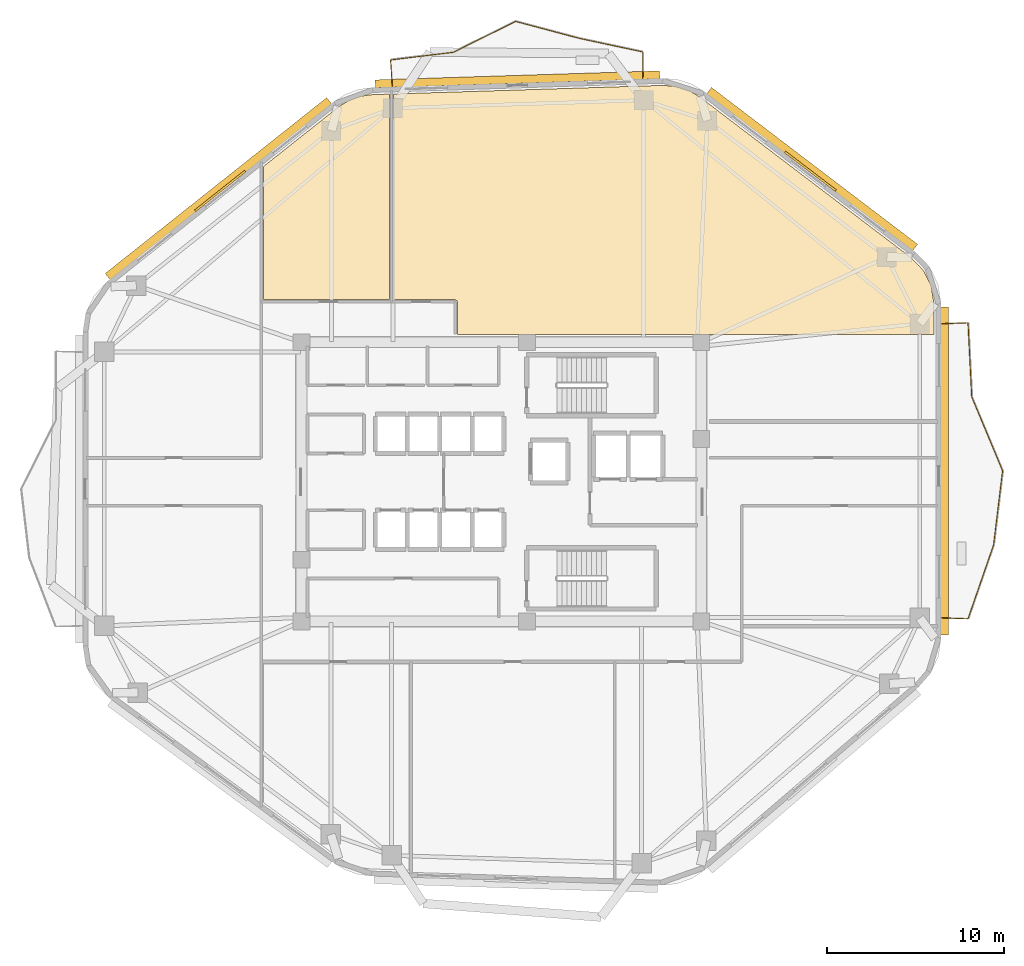
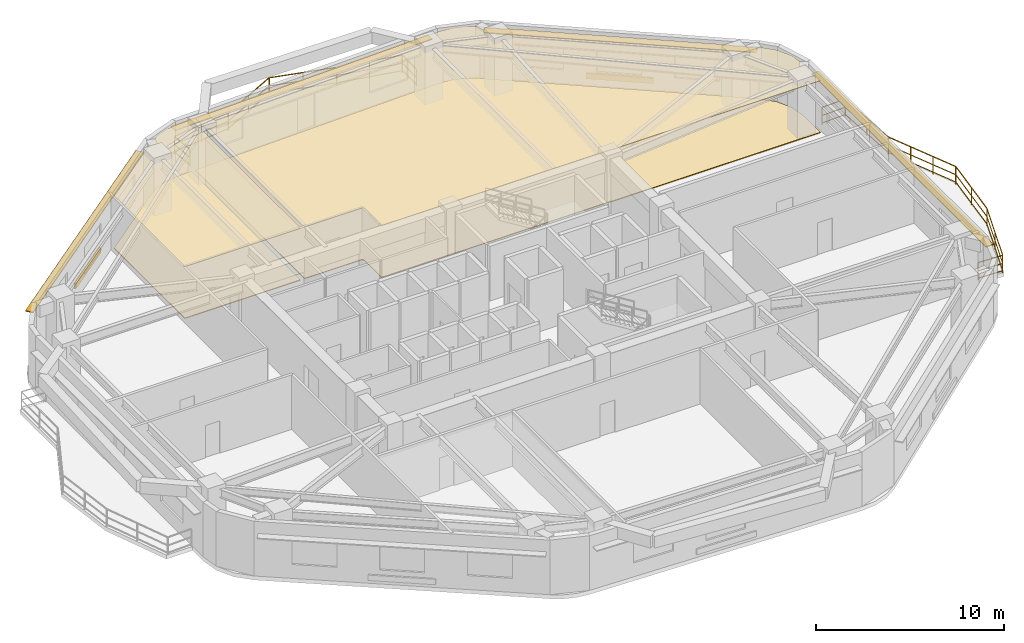
# One storey, part 8 of 8: 12 railings, 6 shading devices, 4 coverings.
"""IFC4 building model written with IfcOpenShell, lengths in metres."""

import ifcopenshell
import ifcopenshell.guid

model = None  # the IFC model being written
_history = None  # IfcOwnerHistory: only IFC2X3 demands one
_inside = {}  # id of a spatial element -> (the spatial element, [elements in it])
_under = {}  # id of a project, library or spatial element -> (it, [spatial elements below it])
_declared = {}  # id of a project -> (the project, [libraries it declares])
_typed = {}  # id of a type object -> (the type object, [elements of that type])
_made_of = {}  # id of a material, layer set ... -> (it, [elements and type objects made of it])


def new_model(schema):
    """Start an empty IFC model of exactly this schema.

    Asked for "IFC4X3", IfcOpenShell would pick the latest addendum, in which some entities
    have other attributes; the version numbers below select the first issue.
    IFC2X3 requires an IfcOwnerHistory on every rooted entity: one is made here for all.
    """
    global model, _history
    if schema == "IFC4X3":
        model = ifcopenshell.file(schema_version=(4, 3, 0, 0))
    else:
        model = ifcopenshell.file(schema=schema)
    _inside.clear()
    _under.clear()
    _declared.clear()
    _typed.clear()
    _made_of.clear()
    _history = None
    if model.schema == "IFC2X3":
        org = make("IfcOrganization", Name="unknown")
        user = make(
            "IfcPersonAndOrganization",
            ThePerson=make("IfcPerson", FamilyName="unknown"),
            TheOrganization=org,
        )
        app = make(
            "IfcApplication",
            ApplicationDeveloper=org,
            Version="unknown",
            ApplicationFullName="unknown",
            ApplicationIdentifier="unknown",
        )
        _history = make(
            "IfcOwnerHistory",
            OwningUser=user,
            OwningApplication=app,
            ChangeAction="ADDED",
            CreationDate=0,
        )
    return model


def make(cls, **values):
    """One entity of the class cls with the attributes given. An attribute that is None is left unset."""
    return model.create_entity(
        cls, **{name: value for name, value in values.items() if value is not None}
    )


def rooted(cls, **values):
    """An entity with a GlobalId (a new one), such as an element, a storey or a relation."""
    return make(cls, GlobalId=ifcopenshell.guid.new(), OwnerHistory=_history, **values)


def si_unit(unit_type, name, prefix=None):
    """IfcSIUnit, for example si_unit("LENGTHUNIT", "METRE", prefix="MILLI")."""
    return make("IfcSIUnit", UnitType=unit_type, Prefix=prefix, Name=name)


def assignment(units):
    """IfcUnitAssignment: the units of a project."""
    return None if units is None else make("IfcUnitAssignment", Units=units)


def point(xyz):
    """IfcCartesianPoint."""
    return None if xyz is None else make("IfcCartesianPoint", Coordinates=xyz)


def direction(xyz):
    """IfcDirection."""
    return None if xyz is None else make("IfcDirection", DirectionRatios=xyz)


def frame(location, z_axis=None, x_axis=None):
    """IfcAxis2Placement3D, a coordinate frame: its origin and axes. An axis left out is left unset."""
    return make(
        "IfcAxis2Placement3D",
        Location=point(location),
        Axis=direction(z_axis),
        RefDirection=direction(x_axis),
    )


def frame_2d(location, x_axis=None):
    """IfcAxis2Placement2D, a coordinate frame in the plane: its origin and x axis."""
    return make(
        "IfcAxis2Placement2D", Location=point(location), RefDirection=direction(x_axis)
    )


def origin():
    """The frame at (0, 0, 0) with its axes left unset."""
    return frame((0.0, 0.0, 0.0))


def origin_2d():
    """The frame at (0, 0) in the plane with its x axis left unset."""
    return frame_2d((0.0, 0.0))


def place(relative_to, where):
    """IfcLocalPlacement: puts the frame where relative to a parent placement (None: the world)."""
    return make(
        "IfcLocalPlacement", PlacementRelTo=relative_to, RelativePlacement=where
    )


def context(
    kind, dimensions, precision=None, world=None, true_north=None, identifier=None
):
    """IfcGeometricRepresentationContext, for example the 3D "Model" context."""
    return make(
        "IfcGeometricRepresentationContext",
        ContextIdentifier=identifier,
        ContextType=kind,
        CoordinateSpaceDimension=dimensions,
        Precision=precision,
        WorldCoordinateSystem=world,
        TrueNorth=true_north,
    )


def subcontext(parent, identifier, kind, view, scale=None):
    """IfcGeometricRepresentationSubContext, for example "Body" below "Model"."""
    return make(
        "IfcGeometricRepresentationSubContext",
        ContextIdentifier=identifier,
        ContextType=kind,
        ParentContext=parent,
        TargetScale=scale,
        TargetView=view,
    )


def project(units=None, contexts=None):
    """IfcProject with its units and contexts."""
    return rooted(
        "IfcProject",
        Name="project",
        RepresentationContexts=contexts,
        UnitsInContext=assignment(units),
    )


def spatial(cls, under=None, at=None, **own):
    """A site, building, storey or space (cls), placed at a placement, below another one or the project."""
    s = rooted(cls, ObjectPlacement=at, **own)
    if under is not None:
        _under.setdefault(under.id(), (under, []))[1].append(s)
    return s


def polyline(points):
    """IfcPolyline through the points."""
    return make("IfcPolyline", Points=[point(p) for p in points])


def profile(cls, at=None, kind="AREA", **sizes):
    """A parametric profile (cls). Its sizes go by their IFC names, for example OverallWidth=200.0."""
    return make(cls, ProfileType=kind, Position=at, **sizes)


def rectangle(**sizes):
    """IfcRectangleProfileDef."""
    return profile("IfcRectangleProfileDef", **sizes)


def outline(outer, holes=None, kind="AREA"):
    """IfcArbitraryClosedProfileDef: a profile drawn as a closed curve; with holes, ...WithVoids."""
    if holes is None:
        return make("IfcArbitraryClosedProfileDef", ProfileType=kind, OuterCurve=outer)
    return make(
        "IfcArbitraryProfileDefWithVoids",
        ProfileType=kind,
        OuterCurve=outer,
        InnerCurves=holes,
    )


def extrude(swept, where, along, depth):
    """IfcExtrudedAreaSolid: the profile swept, set in the frame where, extruded along a direction by depth."""
    return make(
        "IfcExtrudedAreaSolid",
        SweptArea=swept,
        Position=where,
        ExtrudedDirection=direction(along),
        Depth=depth,
    )


def shape(context_of_items, identifier, shape_type, items):
    """IfcShapeRepresentation: the items that make up one representation, for example the "Body"."""
    return make(
        "IfcShapeRepresentation",
        ContextOfItems=context_of_items,
        RepresentationIdentifier=identifier,
        RepresentationType=shape_type,
        Items=items,
    )


def material(Name=None, Category=None):
    """IfcMaterial."""
    return make("IfcMaterial", Name=Name, Category=Category)


def layer(
    of_material, thickness, ventilated=None, Name=None, Category=None, Priority=None
):
    """IfcMaterialLayer: one layer of a wall or slab, of a material (None: an air gap)."""
    return make(
        "IfcMaterialLayer",
        Material=of_material,
        LayerThickness=thickness,
        IsVentilated=ventilated,
        Name=Name,
        Category=Category,
        Priority=Priority,
    )


def layer_set(layers, Name=None):
    """IfcMaterialLayerSet."""
    return make("IfcMaterialLayerSet", MaterialLayers=layers, LayerSetName=Name)


def made_of(thing, what):
    """Note that an element or type object is made of a material, layer set ...; save() writes the relation."""
    if what is not None:
        _made_of.setdefault(what.id(), (what, []))[1].append(thing)
    return thing


def type_object(cls, material=None, **own):
    """A type object (cls), such as IfcWallType, which elements share."""
    return made_of(rooted(cls, **own), material)


def element(
    cls,
    number,
    at=None,
    inside=None,
    cuts=None,
    type_object=None,
    material=None,
    context=None,
    identifier="Body",
    shape_type=None,
    held_by="IfcProductDefinitionShape",
    body=None,
    shapes=None,
    **own,
):
    """One element of the class cls, such as IfcWall. Its Tag is "e" and its number.

    at: its placement. inside: the storey or other place that contains it. cuts: it is an
    opening in that element (IfcRelVoidsElement). A single representation is given by context,
    identifier, shape_type and body (its items); several are given by shapes. held_by: the class
    of the entity that holds the representations. save() writes the other relations.
    """
    e = rooted(cls, Tag="e%d" % number, ObjectPlacement=at, **own)
    if body is not None:
        shapes = [shape(context, identifier, shape_type, body)]
    if shapes is not None:
        e.Representation = make(held_by, Representations=shapes)
    if inside is not None:
        _inside.setdefault(inside.id(), (inside, []))[1].append(e)
    if cuts is not None:
        rooted(
            "IfcRelVoidsElement", RelatingBuildingElement=cuts, RelatedOpeningElement=e
        )
    if type_object is not None:
        _typed.setdefault(type_object.id(), (type_object, []))[1].append(e)
    return made_of(e, material)


def aggregate(whole, parts):
    """IfcRelAggregates: a whole, such as a stair, and the parts it consists of."""
    return rooted("IfcRelAggregates", RelatingObject=whole, RelatedObjects=parts)


def save(model, path):
    """Write the relations noted so far, then the file.

    IfcRelAggregates (storeys below a building ...), IfcRelContainedInSpatialStructure (elements
    in a storey), IfcRelDefinesByType, IfcRelAssociatesMaterial and IfcRelDeclares: one each for
    every whole, place, type object, material and project.
    """
    for whole, parts in _under.values():
        aggregate(whole, parts)
    for where, things in _inside.values():
        rooted(
            "IfcRelContainedInSpatialStructure",
            RelatedElements=things,
            RelatingStructure=where,
        )
    for kind, things in _typed.values():
        rooted("IfcRelDefinesByType", RelatedObjects=things, RelatingType=kind)
    for what, things in _made_of.values():
        rooted("IfcRelAssociatesMaterial", RelatedObjects=things, RelatingMaterial=what)
    for by, libraries in _declared.values():
        rooted("IfcRelDeclares", RelatingContext=by, RelatedDefinitions=libraries)
    model.write(path)


model = new_model("IFC4")

# Units and contexts
model_context = context("Model", 3, precision=1e-05, world=origin(), true_north=direction((0.0, 1.0)))
body_context = subcontext(model_context, "Body", "Model", "MODEL_VIEW")
ifc_project = project(units=[si_unit("LENGTHUNIT", "METRE"), si_unit("AREAUNIT", "SQUARE_METRE"), si_unit("VOLUMEUNIT", "CUBIC_METRE"), si_unit("PLANEANGLEUNIT", "RADIAN"), si_unit("MASSUNIT", "GRAM", prefix="KILO")], contexts=[model_context])

# Site, building, storey
site_placement = place(None, origin())
site = spatial("IfcSite", under=ifc_project, at=site_placement, CompositionType="ELEMENT")
building_placement = place(site_placement, origin())
building = spatial("IfcBuilding", under=site, at=building_placement, Name="Zulverin Broadcast Headquarters", CompositionType="ELEMENT")
storey_placement = place(building_placement, frame((0.0, 0.0, 151.60009765625)))
storey = spatial("IfcBuildingStorey", under=building, at=storey_placement, Name="L38", CompositionType="ELEMENT", Elevation=151.60009765625)

# Coverings
ifc_material_1 = material(Name="Perforated pale-metal acoustic baffle ceiling", Category="aluminium")
ifc_layer_1 = layer(ifc_material_1, 0.0400390625, Name="Perforated pale-metal acoustic baffle ceiling", Category="aluminium")
ifc_layer_set_1 = layer_set([ifc_layer_1], Name="Perforated pale-metal acoustic baffle ceiling")
covering_type_1 = type_object("IfcCoveringType", Name="COV-CEIL-ACOU", PredefinedType="CEILING", material=ifc_layer_set_1)
covering_1_placement = place(storey_placement, frame((0.0, 0.0, 3.35986328125)))
element("IfcCovering", 1, at=covering_1_placement, inside=storey, type_object=covering_type_1, Name="L38 Acoustic Baffle Ceiling 01", PredefinedType="CEILING", context=body_context, shape_type="SweptSolid", body=[
    extrude(outline(polyline([(30.679931640625, 35.471923828125), (30.679931640625, 47.068115234375), (29.73193359375, 47.0400390625), (29.031982421875, 46.944091796875), (28.39599609375, 46.7080078125), (27.800048828125, 46.33203125), (23.572021484375, 42.97607421875), (23.572021484375, 35.471923828125), (30.679931640625, 35.471923828125)])), origin(), (0.0, 0.0, 1.0), 0.0400390625),
])
covering_2_placement = place(storey_placement, frame((0.0, 0.0, 3.35986328125)))
element("IfcCovering", 2, at=covering_2_placement, inside=storey, type_object=covering_type_1, Name="L38 Acoustic Baffle Ceiling 02", PredefinedType="CEILING", context=body_context, shape_type="SweptSolid", body=[
    extrude(outline(polyline([(34.3720703125, 35.471923828125), (34.384033203125, 35.468017578125), (34.39208984375, 35.468017578125), (34.39990234375, 35.464111328125), (34.407958984375, 35.464111328125), (34.419921875, 35.4599609375), (34.427978515625, 35.4560546875), (34.43603515625, 35.451904296875), (34.447998046875, 35.444091796875), (34.4599609375, 35.43603515625), (34.468017578125, 35.427978515625), (34.47607421875, 35.419921875), (34.48388671875, 35.412109375), (34.491943359375, 35.39990234375), (34.5, 35.387939453125), (34.50390625, 35.3798828125), (34.508056640625, 35.3720703125), (34.511962890625, 35.364013671875), (34.51611328125, 35.35205078125), (34.51611328125, 35.343994140625), (34.52001953125, 35.33203125), (34.52001953125, 35.320068359375), (34.52001953125, 33.52001953125), (48.568115234375, 33.52001953125), (48.580078125, 33.52001953125), (48.592041015625, 33.51611328125), (48.60009765625, 33.51611328125), (48.612060546875, 33.511962890625), (48.6201171875, 33.508056640625), (48.635986328125, 33.5), (61.39990234375, 33.5), (61.39990234375, 35.239990234375), (61.243896484375, 36.236083984375), (60.81201171875, 37.112060546875), (60.112060546875, 37.840087890625), (48.2080078125, 46.89208984375), (47.568115234375, 47.27587890625), (46.8759765625, 47.49609375), (46.1279296875, 47.56005859375), (30.919921875, 47.075927734375), (30.919921875, 35.471923828125), (34.360107421875, 35.471923828125), (34.3720703125, 35.471923828125)])), origin(), (0.0, 0.0, 1.0), 0.0400390625),
])
ifc_material_2 = material(Name="Anti-static broadcast raised access flooring", Category="stone")
ifc_layer_2 = layer(ifc_material_2, 0.050048828125, Name="Anti-static broadcast raised access flooring", Category="stone")
ifc_layer_set_2 = layer_set([ifc_layer_2], Name="Anti-static broadcast raised access flooring")
covering_type_2 = type_object("IfcCoveringType", Name="COV-FLR-RAISED", PredefinedType="FLOORING", material=ifc_layer_set_2)
covering_3_placement = place(storey_placement, origin())
element("IfcCovering", 3, at=covering_3_placement, inside=storey, type_object=covering_type_2, Name="L38 Broadcast Raised Access Flooring 01", PredefinedType="FLOORING", context=body_context, shape_type="SweptSolid", body=[
    extrude(outline(polyline([(30.679931640625, 35.471923828125), (30.679931640625, 47.068115234375), (29.73193359375, 47.0400390625), (29.031982421875, 46.944091796875), (28.39599609375, 46.7080078125), (27.800048828125, 46.33203125), (23.572021484375, 42.97607421875), (23.572021484375, 35.471923828125), (30.679931640625, 35.471923828125)])), origin(), (0.0, 0.0, 1.0), 0.0498046875),
])
covering_4_placement = place(storey_placement, origin())
element("IfcCovering", 4, at=covering_4_placement, inside=storey, type_object=covering_type_2, Name="L38 Broadcast Raised Access Flooring 02", PredefinedType="FLOORING", context=body_context, shape_type="SweptSolid", body=[
    extrude(outline(polyline([(34.3720703125, 35.471923828125), (34.384033203125, 35.468017578125), (34.39208984375, 35.468017578125), (34.39990234375, 35.464111328125), (34.407958984375, 35.464111328125), (34.419921875, 35.4599609375), (34.427978515625, 35.4560546875), (34.43603515625, 35.451904296875), (34.447998046875, 35.444091796875), (34.4599609375, 35.43603515625), (34.468017578125, 35.427978515625), (34.47607421875, 35.419921875), (34.48388671875, 35.412109375), (34.491943359375, 35.39990234375), (34.5, 35.387939453125), (34.50390625, 35.3798828125), (34.508056640625, 35.3720703125), (34.511962890625, 35.364013671875), (34.51611328125, 35.35205078125), (34.51611328125, 35.343994140625), (34.52001953125, 35.33203125), (34.52001953125, 35.320068359375), (34.52001953125, 33.52001953125), (48.568115234375, 33.52001953125), (48.580078125, 33.52001953125), (48.592041015625, 33.51611328125), (48.60009765625, 33.51611328125), (48.612060546875, 33.511962890625), (48.6201171875, 33.508056640625), (48.635986328125, 33.5), (61.39990234375, 33.5), (61.39990234375, 35.239990234375), (61.243896484375, 36.236083984375), (60.81201171875, 37.112060546875), (60.112060546875, 37.840087890625), (48.2080078125, 46.89208984375), (47.568115234375, 47.27587890625), (46.8759765625, 47.49609375), (46.1279296875, 47.56005859375), (30.919921875, 47.075927734375), (30.919921875, 35.471923828125), (34.360107421875, 35.471923828125), (34.3720703125, 35.471923828125)])), origin(), (0.0, 0.0, 1.0), 0.0498046875),
])

# Railings
ifc_material_3 = material(Name="Brushed stainless steel & laminated glass balustrade", Category="steel")
railing_type = type_object("IfcRailingType", Name="RL-GUARD-1150", PredefinedType="GUARDRAIL", material=ifc_material_3)
railing_1_placement = place(storey_placement, frame((61.840087890625, 17.529296875, 0.0)))
element("IfcRailing", 5, at=railing_1_placement, inside=storey, type_object=railing_type, Name="L38 Vertical-Forest Balcony Guardrail BAL_E Segment 01", PredefinedType="GUARDRAIL", context=body_context, shape_type="SweptSolid", body=[
    extrude(rectangle(XDim=0.048095703125, YDim=0.048095703125, at=origin_2d()), frame((0.0, 0.0, 1.1259765625), z_axis=(0.99918088253, -0.040466825742, 0.0), x_axis=(0.040466825742, 0.99918088253, 0.0)), (0.0, 0.0, 1.0), 1.466064453125),
    extrude(rectangle(XDim=0.0419921875, YDim=0.0419921875, at=origin_2d()), frame((0.0, 0.0, 0.597900390625), z_axis=(0.99918088253, -0.040466825742, 0.0), x_axis=(0.040466825742, 0.99918088253, 0.0)), (0.0, 0.0, 1.0), 1.466064453125),
    extrude(rectangle(XDim=0.0419921875, YDim=0.0419921875, at=origin_2d()), frame((0.0, 0.0, 0.1201171875), z_axis=(0.99918088253, -0.040466825742, 0.0), x_axis=(0.040466825742, 0.99918088253, 0.0)), (0.0, 0.0, 1.0), 1.466064453125),
    extrude(rectangle(XDim=0.0419921875, YDim=0.0419921875, at=origin_2d()), origin(), (0.0, 0.0, 1.0), 1.101806640625),
    extrude(rectangle(XDim=0.0419921875, YDim=0.0419921875, at=origin_2d()), frame((1.46484375, -0.059326171875, 0.0)), (0.0, 0.0, 1.0), 1.101806640625),
])
railing_2_placement = place(storey_placement, frame((63.324951171875, 17.4833984375, 0.0)))
element("IfcRailing", 6, at=railing_2_placement, inside=storey, type_object=railing_type, Name="L38 Vertical-Forest Balcony Guardrail BAL_E Segment 02", PredefinedType="GUARDRAIL", context=body_context, shape_type="SweptSolid", body=[
    extrude(rectangle(XDim=0.048095703125, YDim=0.048095703125, at=origin_2d()), frame((0.0, 0.0, 1.1259765625), z_axis=(0.326906098992, 0.94505682498, 0.0), x_axis=(-0.94505682498, 0.326906098992, 0.0)), (0.0, 0.0, 1.0), 4.388427734375),
    extrude(rectangle(XDim=0.0419921875, YDim=0.0419921875, at=origin_2d()), frame((0.0, 0.0, 0.597900390625), z_axis=(0.326906098992, 0.94505682498, 0.0), x_axis=(-0.94505682498, 0.326906098992, 0.0)), (0.0, 0.0, 1.0), 4.388427734375),
    extrude(rectangle(XDim=0.0419921875, YDim=0.0419921875, at=origin_2d()), frame((0.0, 0.0, 0.1201171875), z_axis=(0.326906098992, 0.94505682498, 0.0), x_axis=(-0.94505682498, 0.326906098992, 0.0)), (0.0, 0.0, 1.0), 4.388427734375),
    extrude(rectangle(XDim=0.0419921875, YDim=0.0419921875, at=origin_2d()), origin(), (0.0, 0.0, 1.0), 1.101806640625),
    extrude(rectangle(XDim=0.0419921875, YDim=0.0419921875, at=origin_2d()), frame((0.71728515625, 2.07373046875, 0.0)), (0.0, 0.0, 1.0), 1.101806640625),
    extrude(rectangle(XDim=0.0419921875, YDim=0.0419921875, at=origin_2d()), frame((1.4345703125, 4.147216796875, 0.0)), (0.0, 0.0, 1.0), 1.101806640625),
])
railing_3_placement = place(storey_placement, frame((64.76611328125, 21.65966796875, 0.0)))
element("IfcRailing", 7, at=railing_3_placement, inside=storey, type_object=railing_type, Name="L38 Vertical-Forest Balcony Guardrail BAL_E Segment 03", PredefinedType="GUARDRAIL", context=body_context, shape_type="SweptSolid", body=[
    extrude(rectangle(XDim=0.048095703125, YDim=0.048095703125, at=origin_2d()), frame((0.0, 0.0, 1.1259765625), z_axis=(0.12025629247, 0.992742879159, 0.0), x_axis=(-0.992742879159, 0.12025629247, 0.0)), (0.0, 0.0, 1.0), 4.176025390625),
    extrude(rectangle(XDim=0.0419921875, YDim=0.0419921875, at=origin_2d()), frame((0.0, 0.0, 0.597900390625), z_axis=(0.12025629247, 0.992742879159, 0.0), x_axis=(-0.992742879159, 0.12025629247, 0.0)), (0.0, 0.0, 1.0), 4.176025390625),
    extrude(rectangle(XDim=0.0419921875, YDim=0.0419921875, at=origin_2d()), frame((0.0, 0.0, 0.1201171875), z_axis=(0.12025629247, 0.992742879159, 0.0), x_axis=(-0.992742879159, 0.12025629247, 0.0)), (0.0, 0.0, 1.0), 4.176025390625),
    extrude(rectangle(XDim=0.0419921875, YDim=0.0419921875, at=origin_2d()), origin(), (0.0, 0.0, 1.0), 1.101806640625),
    extrude(rectangle(XDim=0.0419921875, YDim=0.0419921875, at=origin_2d()), frame((0.2509765625, 2.07275390625, 0.0)), (0.0, 0.0, 1.0), 1.101806640625),
    extrude(rectangle(XDim=0.0419921875, YDim=0.0419921875, at=origin_2d()), frame((0.502197265625, 4.145751953125, 0.0)), (0.0, 0.0, 1.0), 1.101806640625),
])
railing_4_placement = place(storey_placement, frame((65.26416015625, 25.834228515625, 0.0)))
element("IfcRailing", 8, at=railing_4_placement, inside=storey, type_object=railing_type, Name="L38 Vertical-Forest Balcony Guardrail BAL_E Segment 04", PredefinedType="GUARDRAIL", context=body_context, shape_type="SweptSolid", body=[
    extrude(rectangle(XDim=0.048095703125, YDim=0.048095703125, at=origin_2d()), frame((0.0, 0.0, 1.1259765625), z_axis=(-0.38488538083, 0.922964378307, 0.0), x_axis=(-0.922964378307, -0.38488538083, 0.0)), (0.0, 0.0, 1.0), 4.494140625),
    extrude(rectangle(XDim=0.0419921875, YDim=0.0419921875, at=origin_2d()), frame((0.0, 0.0, 0.597900390625), z_axis=(-0.38488538083, 0.922964378307, 0.0), x_axis=(-0.922964378307, -0.38488538083, 0.0)), (0.0, 0.0, 1.0), 4.494140625),
    extrude(rectangle(XDim=0.0419921875, YDim=0.0419921875, at=origin_2d()), frame((0.0, 0.0, 0.1201171875), z_axis=(-0.38488538083, 0.922964378307, 0.0), x_axis=(-0.922964378307, -0.38488538083, 0.0)), (0.0, 0.0, 1.0), 4.494140625),
    extrude(rectangle(XDim=0.0419921875, YDim=0.0419921875, at=origin_2d()), origin(), (0.0, 0.0, 1.0), 1.101806640625),
    extrude(rectangle(XDim=0.0419921875, YDim=0.0419921875, at=origin_2d()), frame((-0.57666015625, 1.382568359375, 0.0)), (0.0, 0.0, 1.0), 1.101806640625),
    extrude(rectangle(XDim=0.0419921875, YDim=0.0419921875, at=origin_2d()), frame((-1.153076171875, 2.765380859375, 0.0)), (0.0, 0.0, 1.0), 1.101806640625),
    extrude(rectangle(XDim=0.0419921875, YDim=0.0419921875, at=origin_2d()), frame((-1.729736328125, 4.14794921875, 0.0)), (0.0, 0.0, 1.0), 1.101806640625),
])
railing_5_placement = place(storey_placement, frame((63.52783203125, 30.010986328125, 0.0)))
element("IfcRailing", 9, at=railing_5_placement, inside=storey, type_object=railing_type, Name="L38 Vertical-Forest Balcony Guardrail BAL_E Segment 05", PredefinedType="GUARDRAIL", context=body_context, shape_type="SweptSolid", body=[
    extrude(rectangle(XDim=0.048095703125, YDim=0.048095703125, at=origin_2d()), frame((0.0, 0.0, 1.1259765625), z_axis=(-0.04987894403, 0.998755270796, 0.0), x_axis=(-0.998755270796, -0.04987894403, 0.0)), (0.0, 0.0, 1.0), 4.150634765625),
    extrude(rectangle(XDim=0.0419921875, YDim=0.0419921875, at=origin_2d()), frame((0.0, 0.0, 0.597900390625), z_axis=(-0.04987894403, 0.998755270796, 0.0), x_axis=(-0.998755270796, -0.04987894403, 0.0)), (0.0, 0.0, 1.0), 4.150634765625),
    extrude(rectangle(XDim=0.0419921875, YDim=0.0419921875, at=origin_2d()), frame((0.0, 0.0, 0.1201171875), z_axis=(-0.04987894403, 0.998755270796, 0.0), x_axis=(-0.998755270796, -0.04987894403, 0.0)), (0.0, 0.0, 1.0), 4.150634765625),
    extrude(rectangle(XDim=0.0419921875, YDim=0.0419921875, at=origin_2d()), origin(), (0.0, 0.0, 1.0), 1.101806640625),
    extrude(rectangle(XDim=0.0419921875, YDim=0.0419921875, at=origin_2d()), frame((-0.103515625, 2.07275390625, 0.0)), (0.0, 0.0, 1.0), 1.101806640625),
    extrude(rectangle(XDim=0.0419921875, YDim=0.0419921875, at=origin_2d()), frame((-0.20703125, 4.1455078125, 0.0)), (0.0, 0.0, 1.0), 1.101806640625),
])
railing_6_placement = place(storey_placement, frame((63.304931640625, 34.1708984375, 0.0)))
element("IfcRailing", 10, at=railing_6_placement, inside=storey, type_object=railing_type, Name="L38 Vertical-Forest Balcony Guardrail BAL_E Segment 06", PredefinedType="GUARDRAIL", context=body_context, shape_type="SweptSolid", body=[
    extrude(rectangle(XDim=0.048095703125, YDim=0.048095703125, at=origin_2d()), frame((0.0, 0.0, 1.1259765625), z_axis=(-0.99918088253, -0.040466825742, 0.0), x_axis=(0.040466825742, -0.99918088253, 0.0)), (0.0, 0.0, 1.0), 1.466064453125),
    extrude(rectangle(XDim=0.0419921875, YDim=0.0419921875, at=origin_2d()), frame((0.0, 0.0, 0.597900390625), z_axis=(-0.99918088253, -0.040466825742, 0.0), x_axis=(0.040466825742, -0.99918088253, 0.0)), (0.0, 0.0, 1.0), 1.466064453125),
    extrude(rectangle(XDim=0.0419921875, YDim=0.0419921875, at=origin_2d()), frame((0.0, 0.0, 0.1201171875), z_axis=(-0.99918088253, -0.040466825742, 0.0), x_axis=(0.040466825742, -0.99918088253, 0.0)), (0.0, 0.0, 1.0), 1.466064453125),
    extrude(rectangle(XDim=0.0419921875, YDim=0.0419921875, at=origin_2d()), origin(), (0.0, 0.0, 1.0), 1.101806640625),
    extrude(rectangle(XDim=0.0419921875, YDim=0.0419921875, at=origin_2d()), frame((-1.46484375, -0.059326171875, 0.0)), (0.0, 0.0, 1.0), 1.101806640625),
])
railing_7_placement = place(storey_placement, frame((44.978271484375, 47.962646484375, 0.0)))
element("IfcRailing", 11, at=railing_7_placement, inside=storey, type_object=railing_type, Name="L38 Vertical-Forest Balcony Guardrail BAL_N Segment 01", PredefinedType="GUARDRAIL", context=body_context, shape_type="SweptSolid", body=[
    extrude(rectangle(XDim=0.048095703125, YDim=0.048095703125, at=origin_2d()), frame((0.0, 0.0, 1.1259765625), z_axis=(0.008825634609, 0.999961053328, 0.0), x_axis=(-0.999961053328, 0.008825634609, 0.0)), (0.0, 0.0, 1.0), 1.466064453125),
    extrude(rectangle(XDim=0.0419921875, YDim=0.0419921875, at=origin_2d()), frame((0.0, 0.0, 0.597900390625), z_axis=(0.008825634609, 0.999961053328, 0.0), x_axis=(-0.999961053328, 0.008825634609, 0.0)), (0.0, 0.0, 1.0), 1.466064453125),
    extrude(rectangle(XDim=0.0419921875, YDim=0.0419921875, at=origin_2d()), frame((0.0, 0.0, 0.1201171875), z_axis=(0.008825634609, 0.999961053328, 0.0), x_axis=(-0.999961053328, 0.008825634609, 0.0)), (0.0, 0.0, 1.0), 1.466064453125),
    extrude(rectangle(XDim=0.0419921875, YDim=0.0419921875, at=origin_2d()), origin(), (0.0, 0.0, 1.0), 1.101806640625),
    extrude(rectangle(XDim=0.0419921875, YDim=0.0419921875, at=origin_2d()), frame((0.012939453125, 1.466064453125, 0.0)), (0.0, 0.0, 1.0), 1.101806640625),
])
railing_8_placement = place(storey_placement, frame((44.9765625, 49.447021484375, 0.0)))
element("IfcRailing", 12, at=railing_8_placement, inside=storey, type_object=railing_type, Name="L38 Vertical-Forest Balcony Guardrail BAL_N Segment 02", PredefinedType="GUARDRAIL", context=body_context, shape_type="SweptSolid", body=[
    extrude(rectangle(XDim=0.048095703125, YDim=0.048095703125, at=origin_2d()), frame((0.0, 0.0, 1.1259765625), z_axis=(-0.977973854744, 0.208727428569, 0.0), x_axis=(-0.208727428569, -0.977973854744, 0.0)), (0.0, 0.0, 1.0), 3.639892578125),
    extrude(rectangle(XDim=0.0419921875, YDim=0.0419921875, at=origin_2d()), frame((0.0, 0.0, 0.597900390625), z_axis=(-0.977973854744, 0.208727428569, 0.0), x_axis=(-0.208727428569, -0.977973854744, 0.0)), (0.0, 0.0, 1.0), 3.639892578125),
    extrude(rectangle(XDim=0.0419921875, YDim=0.0419921875, at=origin_2d()), frame((0.0, 0.0, 0.1201171875), z_axis=(-0.977973854744, 0.208727428569, 0.0), x_axis=(-0.208727428569, -0.977973854744, 0.0)), (0.0, 0.0, 1.0), 3.639892578125),
    extrude(rectangle(XDim=0.0419921875, YDim=0.0419921875, at=origin_2d()), origin(), (0.0, 0.0, 1.0), 1.101806640625),
    extrude(rectangle(XDim=0.0419921875, YDim=0.0419921875, at=origin_2d()), frame((-1.77978515625, 0.3798828125, 0.0)), (0.0, 0.0, 1.0), 1.101806640625),
    extrude(rectangle(XDim=0.0419921875, YDim=0.0419921875, at=origin_2d()), frame((-3.559814453125, 0.759765625, 0.0)), (0.0, 0.0, 1.0), 1.101806640625),
])
railing_9_placement = place(storey_placement, frame((41.387451171875, 50.2138671875, 0.0)))
element("IfcRailing", 13, at=railing_9_placement, inside=storey, type_object=railing_type, Name="L38 Vertical-Forest Balcony Guardrail BAL_N Segment 03", PredefinedType="GUARDRAIL", context=body_context, shape_type="SweptSolid", body=[
    extrude(rectangle(XDim=0.048095703125, YDim=0.048095703125, at=origin_2d()), frame((0.0, 0.0, 1.1259765625), z_axis=(-0.966353425516, 0.257217917328, 0.0), x_axis=(-0.257217917328, -0.966353425516, 0.0)), (0.0, 0.0, 1.0), 3.6904296875),
    extrude(rectangle(XDim=0.0419921875, YDim=0.0419921875, at=origin_2d()), frame((0.0, 0.0, 0.597900390625), z_axis=(-0.966353425516, 0.257217917328, 0.0), x_axis=(-0.257217917328, -0.966353425516, 0.0)), (0.0, 0.0, 1.0), 3.6904296875),
    extrude(rectangle(XDim=0.0419921875, YDim=0.0419921875, at=origin_2d()), frame((0.0, 0.0, 0.1201171875), z_axis=(-0.966353425516, 0.257217917328, 0.0), x_axis=(-0.257217917328, -0.966353425516, 0.0)), (0.0, 0.0, 1.0), 3.6904296875),
    extrude(rectangle(XDim=0.0419921875, YDim=0.0419921875, at=origin_2d()), origin(), (0.0, 0.0, 1.0), 1.101806640625),
    extrude(rectangle(XDim=0.0419921875, YDim=0.0419921875, at=origin_2d()), frame((-1.783203125, 0.474609375, 0.0)), (0.0, 0.0, 1.0), 1.101806640625),
    extrude(rectangle(XDim=0.0419921875, YDim=0.0419921875, at=origin_2d()), frame((-3.566162109375, 0.94921875, 0.0)), (0.0, 0.0, 1.0), 1.101806640625),
])
railing_10_placement = place(storey_placement, frame((37.793212890625, 51.16015625, 0.0)))
element("IfcRailing", 14, at=railing_10_placement, inside=storey, type_object=railing_type, Name="L38 Vertical-Forest Balcony Guardrail BAL_N Segment 04", PredefinedType="GUARDRAIL", context=body_context, shape_type="SweptSolid", body=[
    extrude(rectangle(XDim=0.048095703125, YDim=0.048095703125, at=origin_2d()), frame((0.0, 0.0, 1.1259765625), z_axis=(-0.896079285202, -0.443894035365, 0.0), x_axis=(0.443894035365, -0.896079285202, 0.0)), (0.0, 0.0, 1.0), 3.88671875),
    extrude(rectangle(XDim=0.0419921875, YDim=0.0419921875, at=origin_2d()), frame((0.0, 0.0, 0.597900390625), z_axis=(-0.896079285202, -0.443894035365, 0.0), x_axis=(0.443894035365, -0.896079285202, 0.0)), (0.0, 0.0, 1.0), 3.88671875),
    extrude(rectangle(XDim=0.0419921875, YDim=0.0419921875, at=origin_2d()), frame((0.0, 0.0, 0.1201171875), z_axis=(-0.896079285202, -0.443894035365, 0.0), x_axis=(0.443894035365, -0.896079285202, 0.0)), (0.0, 0.0, 1.0), 3.88671875),
    extrude(rectangle(XDim=0.0419921875, YDim=0.0419921875, at=origin_2d()), origin(), (0.0, 0.0, 1.0), 1.101806640625),
    extrude(rectangle(XDim=0.0419921875, YDim=0.0419921875, at=origin_2d()), frame((-1.741455078125, -0.86279296875, 0.0)), (0.0, 0.0, 1.0), 1.101806640625),
    extrude(rectangle(XDim=0.0419921875, YDim=0.0419921875, at=origin_2d()), frame((-3.48291015625, -1.725341796875, 0.0)), (0.0, 0.0, 1.0), 1.101806640625),
])
railing_11_placement = place(storey_placement, frame((34.281982421875, 49.42626953125, 0.0)))
element("IfcRailing", 15, at=railing_11_placement, inside=storey, type_object=railing_type, Name="L38 Vertical-Forest Balcony Guardrail BAL_N Segment 05", PredefinedType="GUARDRAIL", context=body_context, shape_type="SweptSolid", body=[
    extrude(rectangle(XDim=0.048095703125, YDim=0.048095703125, at=origin_2d()), frame((0.0, 0.0, 1.1259765625), z_axis=(-0.992537173274, -0.121942444085, 0.0), x_axis=(0.121942444085, -0.992537173274, 0.0)), (0.0, 0.0, 1.0), 3.547607421875),
    extrude(rectangle(XDim=0.0419921875, YDim=0.0419921875, at=origin_2d()), frame((0.0, 0.0, 0.597900390625), z_axis=(-0.992537173274, -0.121942444085, 0.0), x_axis=(0.121942444085, -0.992537173274, 0.0)), (0.0, 0.0, 1.0), 3.547607421875),
    extrude(rectangle(XDim=0.0419921875, YDim=0.0419921875, at=origin_2d()), frame((0.0, 0.0, 0.1201171875), z_axis=(-0.992537173274, -0.121942444085, 0.0), x_axis=(0.121942444085, -0.992537173274, 0.0)), (0.0, 0.0, 1.0), 3.547607421875),
    extrude(rectangle(XDim=0.0419921875, YDim=0.0419921875, at=origin_2d()), origin(), (0.0, 0.0, 1.0), 1.101806640625),
    extrude(rectangle(XDim=0.0419921875, YDim=0.0419921875, at=origin_2d()), frame((-1.7607421875, -0.21630859375, 0.0)), (0.0, 0.0, 1.0), 1.101806640625),
    extrude(rectangle(XDim=0.0419921875, YDim=0.0419921875, at=origin_2d()), frame((-3.521240234375, -0.4326171875, 0.0)), (0.0, 0.0, 1.0), 1.101806640625),
])
railing_12_placement = place(storey_placement, frame((30.7470703125, 48.976806640625, 0.0)))
element("IfcRailing", 16, at=railing_12_placement, inside=storey, type_object=railing_type, Name="L38 Vertical-Forest Balcony Guardrail BAL_N Segment 06", PredefinedType="GUARDRAIL", context=body_context, shape_type="SweptSolid", body=[
    extrude(rectangle(XDim=0.048095703125, YDim=0.048095703125, at=origin_2d()), frame((0.0, 0.0, 1.1259765625), z_axis=(0.072110992432, -0.997396613575, 0.0), x_axis=(0.997396613575, 0.072110992432, 0.0)), (0.0, 0.0, 1.0), 1.466064453125),
    extrude(rectangle(XDim=0.0419921875, YDim=0.0419921875, at=origin_2d()), frame((0.0, 0.0, 0.597900390625), z_axis=(0.072110992432, -0.997396613575, 0.0), x_axis=(0.997396613575, 0.072110992432, 0.0)), (0.0, 0.0, 1.0), 1.466064453125),
    extrude(rectangle(XDim=0.0419921875, YDim=0.0419921875, at=origin_2d()), frame((0.0, 0.0, 0.1201171875), z_axis=(0.072110992432, -0.997396613575, 0.0), x_axis=(0.997396613575, 0.072110992432, 0.0)), (0.0, 0.0, 1.0), 1.466064453125),
    extrude(rectangle(XDim=0.0419921875, YDim=0.0419921875, at=origin_2d()), origin(), (0.0, 0.0, 1.0), 1.101806640625),
    extrude(rectangle(XDim=0.0419921875, YDim=0.0419921875, at=origin_2d()), frame((0.105712890625, -1.462158203125, 0.0)), (0.0, 0.0, 1.0), 1.101806640625),
])

# Shading devices
ifc_material_4 = material(Name="Anodized pale-metal aluminium acoustic louvre", Category="aluminium")
shading_device_type_1 = type_object("IfcShadingDeviceType", Name="SHD-LOUVRE-350", PredefinedType="USERDEFINED", material=ifc_material_4)
for number, where, z_axis, x_axis, name in (
    (17, (54.4306640625, 42.713134765625, 0.244873046875), (0.0, 0.0, 1.0), (-0.795836111996, 0.605512083152, 0.0), "L38 Spandrel Intake Louvre 4"),
    (18, (21.1416015625, 41.607421875, 0.244873046875), (0.0, 0.0, 1.0), (-0.783270473924, -0.621681079556, 0.0), "L38 Spandrel Intake Louvre 6"),
):
    element("IfcShadingDevice", number, at=place(storey_placement, frame(where, z_axis=z_axis, x_axis=x_axis)), inside=storey, type_object=shading_device_type_1, Name=name, ObjectType="LOUVRE", PredefinedType="USERDEFINED", context=body_context, shape_type="SweptSolid", body=[
        extrude(rectangle(XDim=3.60009765625, YDim=0.1201171875, at=origin_2d()), origin(), (0.0, 0.0, 1.0), 0.35009765625),
    ])
ifc_material_5 = material(Name="Anodized pale-metal aluminium sunshade", Category="aluminium")
ifc_layer_3 = layer(ifc_material_5, 0.06005859375, Name="Anodized pale-metal aluminium sunshade", Category="aluminium")
ifc_layer_set_3 = layer_set([ifc_layer_3], Name="Anodized pale-metal aluminium sunshade")
shading_device_type_2 = type_object("IfcShadingDeviceType", Name="SS-01_PALE_METAL_ALUMINIUM_SUNSHADE", PredefinedType="USERDEFINED", material=ifc_layer_set_3)
shading_device_1_placement = place(storey_placement, frame((62.0, 25.8203125, 2.7099609375), z_axis=(0.0, 0.0, 1.0), x_axis=(0.0, 1.0, 0.0)))
element("IfcShadingDevice", 19, at=shading_device_1_placement, inside=storey, type_object=shading_device_type_2, Name="L38 Horizontal Pale-Metal Sunshade Band 3", ObjectType="SUNSHADE", PredefinedType="USERDEFINED", context=body_context, shape_type="SweptSolid", body=[
    extrude(rectangle(XDim=18.502197265625, YDim=0.449951171875, at=origin_2d()), origin(), (0.0, 0.0, 1.0), 0.06005859375),
])
shading_device_2_placement = place(storey_placement, frame((54.527587890625, 42.840576171875, 2.7099609375), z_axis=(0.0, 0.0, 1.0), x_axis=(-0.795836111996, 0.605512083152, 0.0)))
element("IfcShadingDevice", 20, at=shading_device_2_placement, inside=storey, type_object=shading_device_type_2, Name="L38 Horizontal Pale-Metal Sunshade Band 4", ObjectType="SUNSHADE", PredefinedType="USERDEFINED", context=body_context, shape_type="SweptSolid", body=[
    extrude(rectangle(XDim=14.61181640625, YDim=0.449951171875, at=origin_2d()), origin(), (0.0, 0.0, 1.0), 0.06005859375),
])
shading_device_3_placement = place(storey_placement, frame((37.910400390625, 47.8984375, 2.7099609375), z_axis=(0.0, 0.0, 1.0), x_axis=(-0.999497141269, -0.031709061709, 0.0)))
element("IfcShadingDevice", 21, at=shading_device_3_placement, inside=storey, type_object=shading_device_type_2, Name="L38 Horizontal Pale-Metal Sunshade Band 5", ObjectType="SUNSHADE", PredefinedType="USERDEFINED", context=body_context, shape_type="SweptSolid", body=[
    extrude(rectangle(XDim=16.052490234375, YDim=0.449951171875, at=origin_2d()), origin(), (0.0, 0.0, 1.0), 0.06005859375),
])
shading_device_4_placement = place(storey_placement, frame((21.0419921875, 41.73291015625, 2.7099609375), z_axis=(0.0, 0.0, 1.0), x_axis=(-0.783270473924, -0.621681079556, 0.0)))
element("IfcShadingDevice", 22, at=shading_device_4_placement, inside=storey, type_object=shading_device_type_2, Name="L38 Horizontal Pale-Metal Sunshade Band 6", ObjectType="SUNSHADE", PredefinedType="USERDEFINED", context=body_context, shape_type="SweptSolid", body=[
    extrude(rectangle(XDim=15.953125, YDim=0.449951171875, at=origin_2d()), origin(), (0.0, 0.0, 1.0), 0.06005859375),
])

save(model, "model.ifc")
